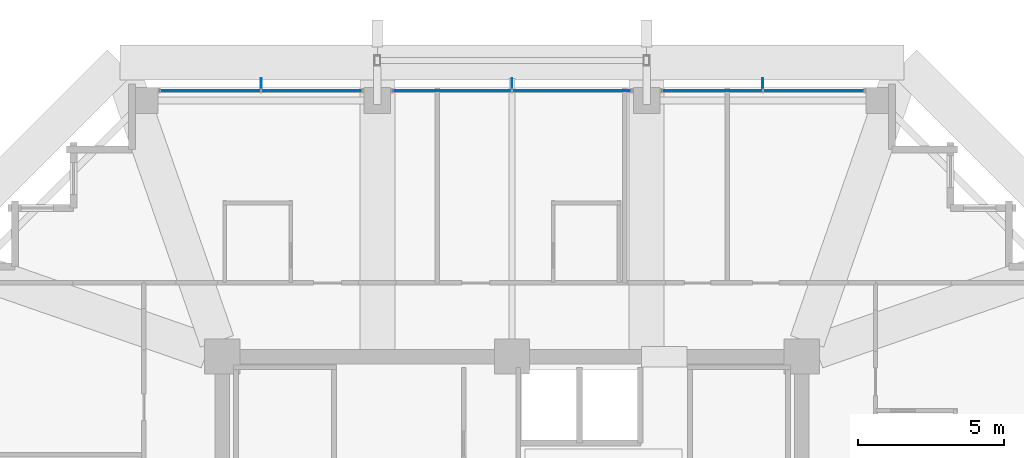
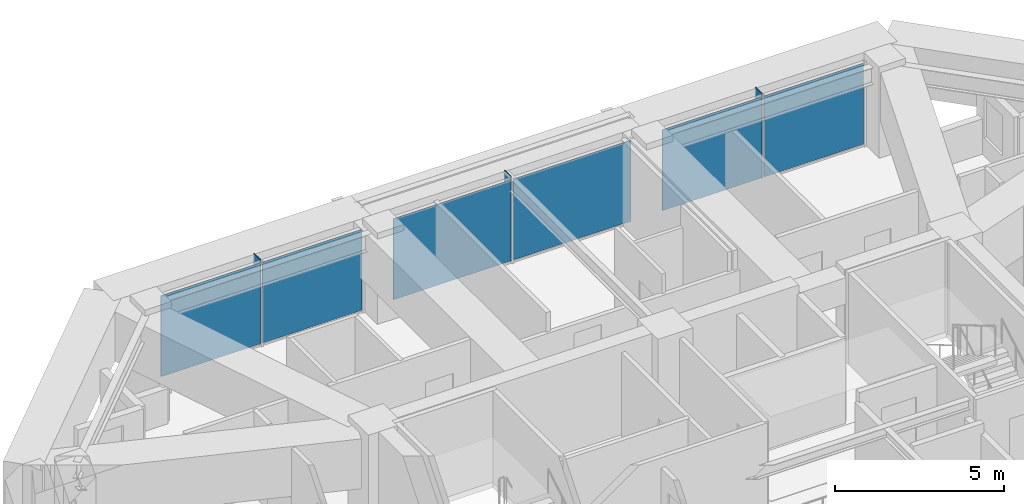
# One storey, part 33 of 40: 9 plates, 3 elements without a shape of their own.
"""IFC4 building model written with IfcOpenShell, lengths in metres."""

from ifc_helpers import new_model, si_unit, direction, frame, origin, origin_2d, place, context, subcontext, project, spatial, rectangle, extrude, material, layer, layer_set, type_object, element, aggregate, save


model = new_model("IFC4")

# Units and contexts
model_context = context("Model", 3, precision=1e-05, world=origin(), true_north=direction((0.0, 1.0)))
body_context = subcontext(model_context, "Body", "Model", "MODEL_VIEW")
ifc_project = project(units=[si_unit("LENGTHUNIT", "METRE"), si_unit("AREAUNIT", "SQUARE_METRE"), si_unit("VOLUMEUNIT", "CUBIC_METRE"), si_unit("PLANEANGLEUNIT", "RADIAN"), si_unit("MASSUNIT", "GRAM", prefix="KILO")], contexts=[model_context])

# Site, building, storey
site_placement = place(None, origin())
site = spatial("IfcSite", under=ifc_project, at=site_placement, CompositionType="ELEMENT")
building_placement = place(site_placement, origin())
building = spatial("IfcBuilding", under=site, at=building_placement, Name="Kolvaren Belvedere", CompositionType="ELEMENT")
storey_placement = place(building_placement, frame((0.0, 0.0, 170.10009765625)))
storey = spatial("IfcBuildingStorey", under=building, at=storey_placement, Name="L49", CompositionType="ELEMENT", Elevation=170.10009765625)

# Curtain wall, plates
ifc_material_1 = material(Name="Anodised pale-metal aluminium AA 6063-T6", Category="aluminium")
curtain_wall_type = type_object("IfcCurtainWallType", Name="CW-Z3-WAIST", PredefinedType="NOTDEFINED", material=ifc_material_1)
curtain_wall_1_placement = place(storey_placement, origin())
curtain_wall_1 = element("IfcCurtainWall", 1, at=curtain_wall_1_placement, inside=storey, type_object=curtain_wall_type, Name="L49 Unitised Curtain Wall FCW-L49-N-B1", PredefinedType="NOTDEFINED")
ifc_material_2 = material(Name="Low-iron triple insulated glass", Category="glass")
ifc_layer_1 = layer(ifc_material_2, 0.028076171875)
ifc_layer_set_1 = layer_set([ifc_layer_1], Name="Low-iron triple insulated glass")
plate_type_1 = type_object("IfcPlateType", Name="CW-PNL-VIS28", PredefinedType="CURTAIN_PANEL", material=ifc_layer_set_1)
plate_1_placement = place(storey_placement, frame((-10.311279296875, 18.97998046875, 0.079833984375), z_axis=(0.0, 0.0, 1.0), x_axis=(1.0, 0.0, 0.0)))
plate_1 = element("IfcPlate", 2, at=plate_1_placement, type_object=plate_type_1, Name="FCW-L49-N-B1 Vision Glazing Panel 1", PredefinedType="CURTAIN_PANEL", context=body_context, shape_type="SweptSolid", body=[
    extrude(rectangle(XDim=3.392578125, YDim=0.028076171875, at=origin_2d()), origin(), (0.0, 0.0, 1.0), 2.919921875),
])
plate_2_placement = place(storey_placement, frame((-6.8388671875, 18.97998046875, 0.079833984375), z_axis=(0.0, 0.0, 1.0), x_axis=(1.0, 0.0, 0.0)))
plate_2 = element("IfcPlate", 3, at=plate_2_placement, type_object=plate_type_1, Name="FCW-L49-N-B1 Vision Glazing Panel 2", PredefinedType="CURTAIN_PANEL", context=body_context, shape_type="SweptSolid", body=[
    extrude(rectangle(XDim=3.392578125, YDim=0.028076171875, at=origin_2d()), origin(), (0.0, 0.0, 1.0), 2.919921875),
])
aggregate(curtain_wall_1, [plate_1, plate_2])

curtain_wall_2_placement = place(storey_placement, origin())
curtain_wall_2 = element("IfcCurtainWall", 4, at=curtain_wall_2_placement, inside=storey, type_object=curtain_wall_type, Name="L49 Unitised Curtain Wall FCW-L49-N-B2", PredefinedType="NOTDEFINED")
plate_3_placement = place(storey_placement, frame((-2.048828125, 18.97998046875, 0.079833984375), z_axis=(0.0, 0.0, 1.0), x_axis=(1.0, 0.0, 0.0)))
plate_3 = element("IfcPlate", 5, at=plate_3_placement, type_object=plate_type_1, Name="FCW-L49-N-B2 Vision Glazing Panel 1", PredefinedType="CURTAIN_PANEL", context=body_context, shape_type="SweptSolid", body=[
    extrude(rectangle(XDim=4.017578125, YDim=0.028076171875, at=origin_2d()), origin(), (0.0, 0.0, 1.0), 2.919921875),
])
plate_4_placement = place(storey_placement, frame((2.048828125, 18.97998046875, 0.079833984375), z_axis=(0.0, 0.0, 1.0), x_axis=(1.0, 0.0, 0.0)))
plate_4 = element("IfcPlate", 6, at=plate_4_placement, type_object=plate_type_1, Name="FCW-L49-N-B2 Vision Glazing Panel 2", PredefinedType="CURTAIN_PANEL", context=body_context, shape_type="SweptSolid", body=[
    extrude(rectangle(XDim=4.017578125, YDim=0.028076171875, at=origin_2d()), origin(), (0.0, 0.0, 1.0), 2.919921875),
])
aggregate(curtain_wall_2, [plate_3, plate_4])

curtain_wall_3_placement = place(storey_placement, origin())
curtain_wall_3 = element("IfcCurtainWall", 7, at=curtain_wall_3_placement, inside=storey, type_object=curtain_wall_type, Name="L49 Unitised Curtain Wall FCW-L49-N-B3", PredefinedType="NOTDEFINED")
plate_5_placement = place(storey_placement, frame((6.8388671875, 18.97998046875, 0.079833984375), z_axis=(0.0, 0.0, 1.0), x_axis=(1.0, 0.0, 0.0)))
plate_5 = element("IfcPlate", 8, at=plate_5_placement, type_object=plate_type_1, Name="FCW-L49-N-B3 Vision Glazing Panel 1", PredefinedType="CURTAIN_PANEL", context=body_context, shape_type="SweptSolid", body=[
    extrude(rectangle(XDim=3.392578125, YDim=0.028076171875, at=origin_2d()), origin(), (0.0, 0.0, 1.0), 2.919921875),
])
plate_6_placement = place(storey_placement, frame((10.311279296875, 18.97998046875, 0.079833984375), z_axis=(0.0, 0.0, 1.0), x_axis=(1.0, 0.0, 0.0)))
plate_6 = element("IfcPlate", 9, at=plate_6_placement, type_object=plate_type_1, Name="FCW-L49-N-B3 Vision Glazing Panel 2", PredefinedType="CURTAIN_PANEL", context=body_context, shape_type="SweptSolid", body=[
    extrude(rectangle(XDim=3.392578125, YDim=0.028076171875, at=origin_2d()), origin(), (0.0, 0.0, 1.0), 2.919921875),
])
aggregate(curtain_wall_3, [plate_5, plate_6])

# Plates
ifc_material_3 = material(Name="Anodised pale-metal aluminium AA 6063-T6", Category="aluminium")
ifc_layer_2 = layer(ifc_material_3, 0.033935546875)
ifc_layer_set_2 = layer_set([ifc_layer_2], Name="Anodised pale-metal aluminium AA 6063-T6")
plate_type_2 = type_object("IfcPlateType", Name="FIN-VERT-380", PredefinedType="USERDEFINED", material=ifc_layer_set_2)
for number, where, z_axis, x_axis, name in (
    (10, (-8.574951171875, 19.219970703125, -0.000244140625), (0.0, 0.0, 1.0), (0.0, 1.0, 0.0), "L49 Pale-Metal Vertical Shading Fin FCW-L49-N-B1-1"),
    (11, (0.0, 19.219970703125, -0.000244140625), (0.0, 0.0, 1.0), (0.0, 1.0, 0.0), "L49 Pale-Metal Vertical Shading Fin FCW-L49-N-B2-1"),
    (12, (8.574951171875, 19.219970703125, -0.000244140625), (0.0, 0.0, 1.0), (0.0, 1.0, 0.0), "L49 Pale-Metal Vertical Shading Fin FCW-L49-N-B3-1"),
):
    element("IfcPlate", number, at=place(storey_placement, frame(where, z_axis=z_axis, x_axis=x_axis)), inside=storey, type_object=plate_type_2, Name=name, ObjectType="VERTICAL FIN", PredefinedType="USERDEFINED", context=body_context, shape_type="SweptSolid", body=[
        extrude(rectangle(XDim=0.3798828125, YDim=0.033935546875, at=origin_2d()), origin(), (0.0, 0.0, 1.0), 3.080078125),
    ])

save(model, "model.ifc")
